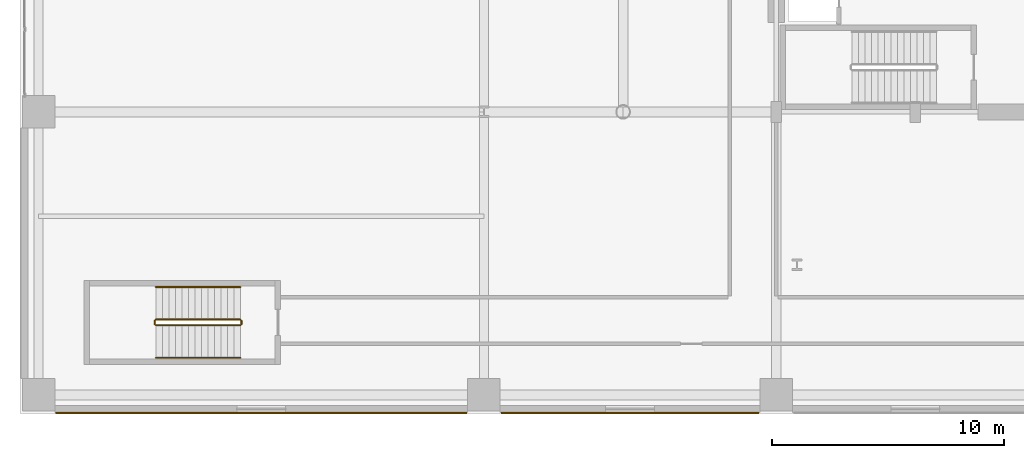
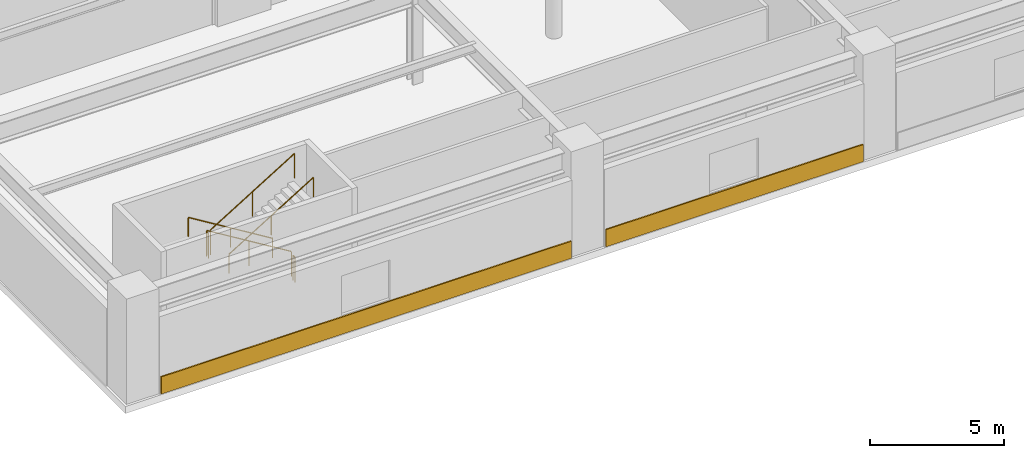
# One storey, part 24 of 28: 6 railings, 2 coverings.
"""IFC4 building model written with IfcOpenShell, lengths in metres."""

from ifc_helpers import new_model, si_unit, direction, frame, origin, origin_2d, place, context, subcontext, project, spatial, rectangle, circle, extrude, material, layer, layer_set, type_object, element, save


model = new_model("IFC4")

# Units and contexts
model_context = context("Model", 3, precision=1e-05, world=origin(), true_north=direction((0.0, 1.0)))
body_context = subcontext(model_context, "Body", "Model", "MODEL_VIEW")
ifc_project = project(units=[si_unit("LENGTHUNIT", "METRE"), si_unit("AREAUNIT", "SQUARE_METRE"), si_unit("VOLUMEUNIT", "CUBIC_METRE"), si_unit("PLANEANGLEUNIT", "RADIAN"), si_unit("MASSUNIT", "GRAM", prefix="KILO")], contexts=[model_context])

# Site, building, storey
site_placement = place(None, origin())
site = spatial("IfcSite", under=ifc_project, at=site_placement, CompositionType="ELEMENT")
building_placement = place(site_placement, origin())
building = spatial("IfcBuilding", under=site, at=building_placement, Name="Soratama Intermodal Tower", CompositionType="ELEMENT")
storey_placement = place(building_placement, frame((0.0, 0.0, 11.39990234375)))
storey = spatial("IfcBuildingStorey", under=building, at=storey_placement, Name="L02", CompositionType="ELEMENT", Elevation=11.39990234375)

# Coverings
ifc_material_1 = material(Name="Honed Andean limestone cladding", Category="masonry")
ifc_layer = layer(ifc_material_1, 0.06005859375)
ifc_layer_set = layer_set([ifc_layer], Name="Honed Andean limestone cladding")
covering_type = type_object("IfcCoveringType", Name="CV-STONE-CLAD", PredefinedType="CLADDING", material=ifc_layer_set)
covering_1_placement = place(storey_placement, frame((10.39990234375, 2.02392578125, 0.0302734375), z_axis=(0.0, 0.0, 1.0), x_axis=(1.0, 0.0, 0.0)))
element("IfcCovering", 1, at=covering_1_placement, inside=storey, type_object=covering_type, Name="L02 S Cladding B1", PredefinedType="CLADDING", context=body_context, shape_type="SweptSolid", body=[
    extrude(rectangle(XDim=17.699951171875, YDim=0.06005859375, at=origin_2d()), origin(), (0.0, 0.0, 1.0), 0.780029296875),
])
covering_2_placement = place(storey_placement, frame((26.300048828125, 2.02392578125, 0.0302734375), z_axis=(0.0, 0.0, 1.0), x_axis=(1.0, 0.0, 0.0)))
element("IfcCovering", 2, at=covering_2_placement, inside=storey, type_object=covering_type, Name="L02 S Cladding B2", PredefinedType="CLADDING", context=body_context, shape_type="SweptSolid", body=[
    extrude(rectangle(XDim=11.10009765625, YDim=0.06005859375, at=origin_2d()), origin(), (0.0, 0.0, 1.0), 0.780029296875),
])

# Railings
ifc_material_2 = material(Name="Painted steel stair guardrail", Category="steel")
railing_type_1 = type_object("IfcRailingType", Name="RL-STAIR-GUARD", PredefinedType="GUARDRAIL", material=ifc_material_2)
railing_1_placement = place(storey_placement, frame((9.5, 6.050048828125, 0.171630859375)))
element("IfcRailing", 3, at=railing_1_placement, inside=storey, type_object=railing_type_1, Name="L02 ST-3 stair guard 1", PredefinedType="GUARDRAIL", context=body_context, shape_type="SweptSolid", body=[
    extrude(circle(Radius=0.02392578125, at=origin_2d()), frame((0.0, 0.0, 1.1259765625), z_axis=(-0.852850264322, 0.0, 0.5221555579), x_axis=(0.0, -1.0, 0.0)), (0.0, 0.0, 1.0), 4.267822265625),
    extrude(circle(Radius=0.02099609375, at=origin_2d()), origin(), (0.0, 0.0, 1.0), 1.101806640625),
    extrude(circle(Radius=0.02099609375, at=origin_2d()), frame((-1.81982421875, 0.0, 1.1142578125)), (0.0, 0.0, 1.0), 1.101806640625),
    extrude(circle(Radius=0.02099609375, at=origin_2d()), frame((-3.639892578125, 0.0, 2.228515625)), (0.0, 0.0, 1.0), 1.101806640625),
])
railing_2_placement = place(storey_placement, frame((5.81005859375, 6.0, 2.400146484375)))
element("IfcRailing", 4, at=railing_2_placement, inside=storey, type_object=railing_type_1, Name="L02 ST-3 stair guard 2", PredefinedType="GUARDRAIL", context=body_context, shape_type="SweptSolid", body=[
    extrude(circle(Radius=0.02392578125, at=origin_2d()), frame((0.0, 0.0, 1.1259765625), z_axis=(0.0, -1.0, 0.0), x_axis=(1.0, 0.0, 0.0)), (0.0, 0.0, 1.0), 0.14990234375),
    extrude(circle(Radius=0.02099609375, at=origin_2d()), origin(), (0.0, 0.0, 1.0), 1.101806640625),
    extrude(circle(Radius=0.02099609375, at=origin_2d()), frame((0.0, -0.14990234375, 0.0)), (0.0, 0.0, 1.0), 1.101806640625),
])
railing_3_placement = place(storey_placement, frame((5.860107421875, 5.800048828125, 2.571533203125)))
element("IfcRailing", 5, at=railing_3_placement, inside=storey, type_object=railing_type_1, Name="L02 ST-3 stair guard 3", PredefinedType="GUARDRAIL", context=body_context, shape_type="SweptSolid", body=[
    extrude(circle(Radius=0.02392578125, at=origin_2d()), frame((0.0, 0.0, 1.1259765625), z_axis=(0.852850264322, 0.0, 0.5221555579), x_axis=(0.0, 1.0, 0.0)), (0.0, 0.0, 1.0), 4.267822265625),
    extrude(circle(Radius=0.02099609375, at=origin_2d()), origin(), (0.0, 0.0, 1.0), 1.101806640625),
    extrude(circle(Radius=0.02099609375, at=origin_2d()), frame((1.81982421875, 0.0, 1.1142578125)), (0.0, 0.0, 1.0), 1.101806640625),
    extrude(circle(Radius=0.02099609375, at=origin_2d()), frame((3.639892578125, 0.0, 2.228515625)), (0.0, 0.0, 1.0), 1.101806640625),
])
railing_4_placement = place(storey_placement, frame((9.550048828125, 6.0, 0.0)))
element("IfcRailing", 6, at=railing_4_placement, inside=storey, type_object=railing_type_1, Name="L02 ST-3 stair guard 4", PredefinedType="GUARDRAIL", context=body_context, shape_type="SweptSolid", body=[
    extrude(circle(Radius=0.02392578125, at=origin_2d()), frame((0.0, 0.0, 1.1259765625), z_axis=(0.0, -1.0, 0.0), x_axis=(1.0, 0.0, 0.0)), (0.0, 0.0, 1.0), 0.14990234375),
    extrude(circle(Radius=0.02099609375, at=origin_2d()), origin(), (0.0, 0.0, 1.0), 1.101806640625),
    extrude(circle(Radius=0.02099609375, at=origin_2d()), frame((0.0, -0.14990234375, 0.0)), (0.0, 0.0, 1.0), 1.101806640625),
])
ifc_material_3 = material(Name="Brushed stainless steel handrail", Category="steel")
railing_type_2 = type_object("IfcRailingType", Name="RL-STAIR-HAND", PredefinedType="HANDRAIL", material=ifc_material_3)
railing_5_placement = place(storey_placement, frame((9.5, 7.449951171875, 0.171630859375)))
element("IfcRailing", 7, at=railing_5_placement, inside=storey, type_object=railing_type_2, Name="L02 ST-3 stair handrail 1", PredefinedType="HANDRAIL", context=body_context, shape_type="SweptSolid", body=[
    extrude(circle(Radius=0.02392578125, at=origin_2d()), frame((0.0, 0.0, 0.8759765625), z_axis=(-0.852850264322, 0.0, 0.5221555579), x_axis=(0.0, -1.0, 0.0)), (0.0, 0.0, 1.0), 4.267822265625),
    extrude(circle(Radius=0.02099609375, at=origin_2d()), origin(), (0.0, 0.0, 1.0), 0.851806640625),
    extrude(circle(Radius=0.02099609375, at=origin_2d()), frame((-1.81982421875, 0.0, 1.1142578125)), (0.0, 0.0, 1.0), 0.851806640625),
    extrude(circle(Radius=0.02099609375, at=origin_2d()), frame((-3.639892578125, 0.0, 2.228515625)), (0.0, 0.0, 1.0), 0.851806640625),
])
railing_6_placement = place(storey_placement, frame((5.860107421875, 4.39990234375, 2.571533203125)))
element("IfcRailing", 8, at=railing_6_placement, inside=storey, type_object=railing_type_2, Name="L02 ST-3 stair handrail 2", PredefinedType="HANDRAIL", context=body_context, shape_type="SweptSolid", body=[
    extrude(circle(Radius=0.02392578125, at=origin_2d()), frame((0.0, 0.0, 0.8759765625), z_axis=(0.852850264322, 0.0, 0.5221555579), x_axis=(0.0, 1.0, 0.0)), (0.0, 0.0, 1.0), 4.267822265625),
    extrude(circle(Radius=0.02099609375, at=origin_2d()), origin(), (0.0, 0.0, 1.0), 0.851806640625),
    extrude(circle(Radius=0.02099609375, at=origin_2d()), frame((1.81982421875, 0.0, 1.1142578125)), (0.0, 0.0, 1.0), 0.851806640625),
    extrude(circle(Radius=0.02099609375, at=origin_2d()), frame((3.639892578125, 0.0, 2.228515625)), (0.0, 0.0, 1.0), 0.851806640625),
])

save(model, "model.ifc")
